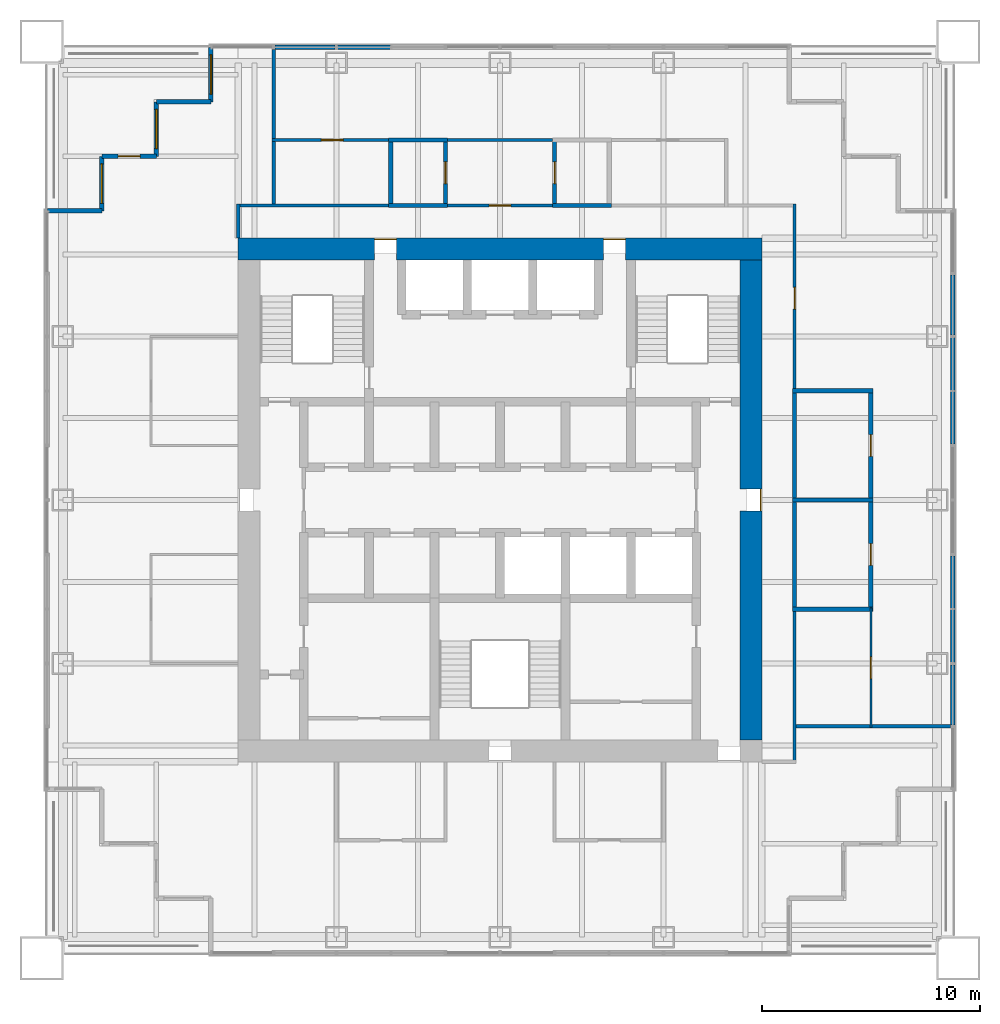
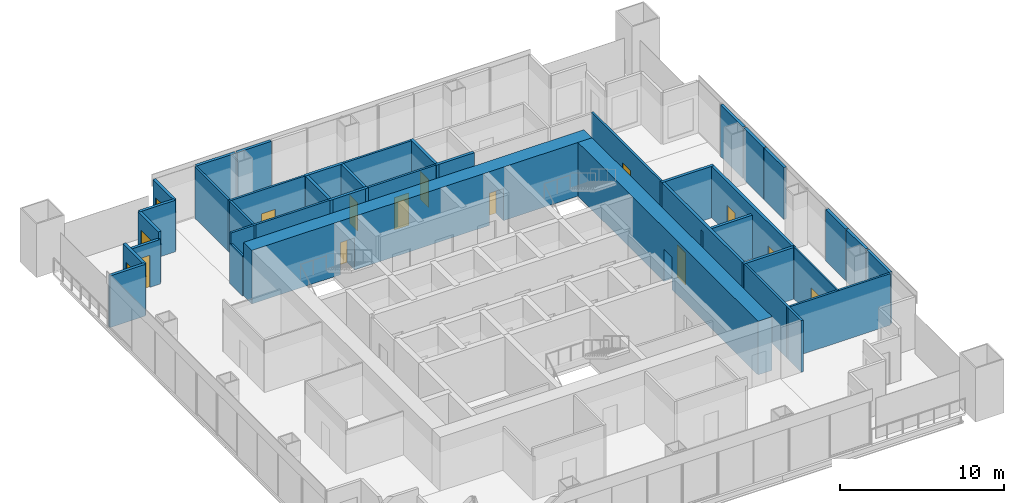
# One storey, part 11 of 14: 37 walls, 12 doors, 3 windows, 15 openings.
"""IFC4 building model written with IfcOpenShell, lengths in metres."""

from ifc_helpers import new_model, si_unit, direction, frame, frame_2d, origin, place, context, subcontext, project, spatial, rectangle, extrude, material, layer, layer_set, type_object, element, fill, save


model = new_model("IFC4")

# Units and contexts
model_context = context("Model", 3, precision=1e-05, world=origin(), true_north=direction((0.0, 1.0)))
body_context = subcontext(model_context, "Body", "Model", "MODEL_VIEW")
ifc_project = project(units=[si_unit("LENGTHUNIT", "METRE"), si_unit("AREAUNIT", "SQUARE_METRE"), si_unit("VOLUMEUNIT", "CUBIC_METRE"), si_unit("PLANEANGLEUNIT", "RADIAN"), si_unit("MASSUNIT", "GRAM", prefix="KILO")], contexts=[model_context])

# Site, building, storey
site_placement = place(None, origin())
site = spatial("IfcSite", under=ifc_project, at=site_placement, CompositionType="ELEMENT")
building_placement = place(site_placement, origin())
building = spatial("IfcBuilding", under=site, at=building_placement, Name="Tarangal Relay Tower", CompositionType="ELEMENT")
storey_placement = place(building_placement, frame((0.0, 0.0, 319.89990234375)))
storey = spatial("IfcBuildingStorey", under=building, at=storey_placement, Name="L71", CompositionType="ELEMENT", Elevation=319.89990234375)

# Walls
ifc_material_1 = material(Name="Two layers gypsum board each side on twin steel studs, mineral wool", Category="steel")
ifc_layer_1 = layer(ifc_material_1, 0.199951171875)
ifc_layer_set_1 = layer_set([ifc_layer_1], Name="Acoustic partition 200")
wall_type_1 = type_object("IfcWallType", Name="Acoustic partition 200", PredefinedType="PARTITIONING", material=ifc_layer_set_1)
wall_1_placement = place(storey_placement, frame((13.39990234375, -5.0, 0.0), z_axis=(0.0, 0.0, 1.0), x_axis=(1.0, 0.0, 0.0)))
element("IfcWall", 1, at=wall_1_placement, inside=storey, type_object=wall_type_1, Name="Partition PT2 L71", PredefinedType="PARTITIONING", context=body_context, shape_type="SweptSolid", body=[
    extrude(rectangle(XDim=3.7001953125, YDim=0.199951171875, at=frame_2d((1.85009765625, 0.0))), origin(), (0.0, 0.0, 1.0), 3.85009765625),
])
wall_2_placement = place(storey_placement, frame((13.39990234375, 0.0, 0.0), z_axis=(0.0, 0.0, 1.0), x_axis=(1.0, 0.0, 0.0)))
element("IfcWall", 2, at=wall_2_placement, inside=storey, type_object=wall_type_1, Name="Partition PT2 L71", PredefinedType="PARTITIONING", context=body_context, shape_type="SweptSolid", body=[
    extrude(rectangle(XDim=3.7001953125, YDim=0.199951171875, at=frame_2d((1.85009765625, 0.0))), origin(), (0.0, 0.0, 1.0), 3.2431640625),
])
wall_3_placement = place(storey_placement, frame((13.39990234375, 5.0, 0.0), z_axis=(0.0, 0.0, 1.0), x_axis=(1.0, 0.0, 0.0)))
element("IfcWall", 3, at=wall_3_placement, inside=storey, type_object=wall_type_1, Name="Partition PT2 L71", PredefinedType="PARTITIONING", context=body_context, shape_type="SweptSolid", body=[
    extrude(rectangle(XDim=3.7001953125, YDim=0.199951171875, at=frame_2d((1.85009765625, 0.0))), origin(), (0.0, 0.0, 1.0), 3.85009765625),
])
for number, where, z_axis, x_axis, name in (
    (4, (-5.10009765625, 13.5, 0.0), (0.0, 0.0, 1.0), (1.0, 0.0, 0.0), "Partition PT2 L71"),
    (5, (2.39990234375, 13.5, 0.0), (0.0, 0.0, 1.0), (1.0, 0.0, 0.0), "Partition PT2 L71"),
    (6, (-5.10009765625, 16.5, 0.0), (0.0, 0.0, 1.0), (1.0, 0.0, 0.0), "Partition PT2 L71"),
):
    element("IfcWall", number, at=place(storey_placement, frame(where, z_axis=z_axis, x_axis=x_axis)), inside=storey, type_object=wall_type_1, Name=name, PredefinedType="PARTITIONING", context=body_context, shape_type="SweptSolid", body=[
        extrude(rectangle(XDim=2.7001953125, YDim=0.199951171875, at=frame_2d((1.35009765625, 0.0))), origin(), (0.0, 0.0, 1.0), 3.85009765625),
    ])
wall_4_placement = place(storey_placement, frame((-5.0, 13.39990234375, 0.0), z_axis=(0.0, 0.0, 1.0), x_axis=(0.0, 1.0, 0.0)))
element("IfcWall", 7, at=wall_4_placement, inside=storey, type_object=wall_type_1, Name="Partition PT2 L71", PredefinedType="PARTITIONING", context=body_context, shape_type="SweptSolid", body=[
    extrude(rectangle(XDim=3.2001953125, YDim=0.199951171875, at=frame_2d((1.60009765625, 0.0))), origin(), (0.0, 0.0, 1.0), 3.85009765625),
])

# Wall, opening, door
wall_5_placement = place(storey_placement, frame((-2.5, 13.39990234375, 0.0), z_axis=(0.0, 0.0, 1.0), x_axis=(0.0, 1.0, 0.0)))
wall_5 = element("IfcWall", 8, at=wall_5_placement, inside=storey, type_object=wall_type_1, Name="Partition PT2 L71", PredefinedType="PARTITIONING", context=body_context, shape_type="SweptSolid", body=[
    extrude(rectangle(XDim=3.2001953125, YDim=0.199951171875, at=frame_2d((1.60009765625, 0.0))), origin(), (0.0, 0.0, 1.0), 3.85009765625),
])
opening_1_placement = place(wall_5_placement, frame((1.10009765625, 0.0, 0.0)))
opening_1 = element("IfcOpeningElement", 9, at=opening_1_placement, cuts=wall_5, Name="Opening D2", PredefinedType="OPENING", context=body_context, shape_type="SweptSolid", body=[
    extrude(rectangle(XDim=1.0, YDim=2.10009765625, at=frame_2d((0.5, 1.050048828125))), frame((0.0, 0.10986328125, 0.0), z_axis=(0.0, -1.0, 0.0), x_axis=(1.0, 0.0, 0.0)), (0.0, 0.0, 1.0), 0.219970703125),
])
ifc_material_2 = material(Name="Hardwood door", Category="wood")
door_type_1 = type_object("IfcDoorType", Name="Door 1000 x 2100", OperationType="SINGLE_SWING_LEFT", PredefinedType="DOOR", material=ifc_material_2)
door_1_placement = place(opening_1_placement, origin())
door_1 = element("IfcDoor", 10, at=door_1_placement, inside=storey, type_object=door_type_1, Name="Door D2 to phone room L71-03", OperationType="SINGLE_SWING_LEFT", OverallHeight=2.10009765625, OverallWidth=1.0, PredefinedType="DOOR", context=body_context, shape_type="SweptSolid", body=[
    extrude(rectangle(XDim=1.0, YDim=2.10009765625, at=frame_2d((0.5, 1.050048828125))), frame((0.0, 0.02490234375, 0.0), z_axis=(0.0, -1.0, 0.0), x_axis=(1.0, 0.0, 0.0)), (0.0, 0.0, 1.0), 0.050048828125),
])
fill(opening_1, door_1)

wall_6_placement = place(storey_placement, frame((2.5, 13.39990234375, 0.0), z_axis=(0.0, 0.0, 1.0), x_axis=(0.0, 1.0, 0.0)))
wall_6 = element("IfcWall", 11, at=wall_6_placement, inside=storey, type_object=wall_type_1, Name="Partition PT2 L71", PredefinedType="PARTITIONING", context=body_context, shape_type="SweptSolid", body=[
    extrude(rectangle(XDim=3.2001953125, YDim=0.199951171875, at=frame_2d((1.60009765625, 0.0))), origin(), (0.0, 0.0, 1.0), 3.85009765625),
])
opening_2_placement = place(wall_6_placement, frame((1.10009765625, 0.0, 0.0)))
opening_2 = element("IfcOpeningElement", 12, at=opening_2_placement, cuts=wall_6, Name="Opening D2", PredefinedType="OPENING", context=body_context, shape_type="SweptSolid", body=[
    extrude(rectangle(XDim=1.0, YDim=2.10009765625, at=frame_2d((0.5, 1.050048828125))), frame((0.0, 0.10986328125, 0.0), z_axis=(0.0, -1.0, 0.0), x_axis=(1.0, 0.0, 0.0)), (0.0, 0.0, 1.0), 0.219970703125),
])
door_2_placement = place(opening_2_placement, origin())
door_2 = element("IfcDoor", 13, at=door_2_placement, inside=storey, type_object=door_type_1, Name="Door D2 to phone room L71-05", OperationType="SINGLE_SWING_LEFT", OverallHeight=2.10009765625, OverallWidth=1.0, PredefinedType="DOOR", context=body_context, shape_type="SweptSolid", body=[
    extrude(rectangle(XDim=1.0, YDim=2.10009765625, at=frame_2d((0.5, 1.050048828125))), frame((0.0, 0.02490234375, 0.0), z_axis=(0.0, -1.0, 0.0), x_axis=(1.0, 0.0, 0.0)), (0.0, 0.0, 1.0), 0.050048828125),
])
fill(opening_2, door_2)

# Wall
wall_7_placement = place(storey_placement, frame((13.5, -5.10009765625, 0.0), z_axis=(0.0, 0.0, 1.0), x_axis=(0.0, 1.0, 0.0)))
element("IfcWall", 14, at=wall_7_placement, inside=storey, type_object=wall_type_1, Name="Partition PT2 L71", PredefinedType="PARTITIONING", context=body_context, shape_type="SweptSolid", body=[
    extrude(rectangle(XDim=10.2001953125, YDim=0.199951171875, at=frame_2d((5.10009765625, 0.0))), origin(), (0.0, 0.0, 1.0), 3.85009765625),
])

# Wall, openings, doors
wall_8_placement = place(storey_placement, frame((17.0, -5.10009765625, 0.0), z_axis=(0.0, 0.0, 1.0), x_axis=(0.0, 1.0, 0.0)))
wall_8 = element("IfcWall", 15, at=wall_8_placement, inside=storey, type_object=wall_type_1, Name="Partition PT2 L71", PredefinedType="PARTITIONING", context=body_context, shape_type="SweptSolid", body=[
    extrude(rectangle(XDim=10.2001953125, YDim=0.199951171875, at=frame_2d((5.10009765625, 0.0))), origin(), (0.0, 0.0, 1.0), 3.85009765625),
])
opening_3_placement = place(wall_8_placement, frame((7.10009765625, 0.0, 0.0)))
opening_3 = element("IfcOpeningElement", 16, at=opening_3_placement, cuts=wall_8, Name="Opening D2", PredefinedType="OPENING", context=body_context, shape_type="SweptSolid", body=[
    extrude(rectangle(XDim=1.0, YDim=2.10009765625, at=frame_2d((0.5, 1.050048828125))), frame((0.0, 0.10986328125, 0.0), z_axis=(0.0, -1.0, 0.0), x_axis=(1.0, 0.0, 0.0)), (0.0, 0.0, 1.0), 0.219970703125),
])
opening_4_placement = place(wall_8_placement, frame((2.10009765625, 0.0, 0.0)))
opening_4 = element("IfcOpeningElement", 17, at=opening_4_placement, cuts=wall_8, Name="Opening D2", PredefinedType="OPENING", context=body_context, shape_type="SweptSolid", body=[
    extrude(rectangle(XDim=1.0, YDim=2.10009765625, at=frame_2d((0.5, 1.050048828125))), frame((0.0, 0.10986328125, 0.0), z_axis=(0.0, -1.0, 0.0), x_axis=(1.0, 0.0, 0.0)), (0.0, 0.0, 1.0), 0.219970703125),
])
door_3_placement = place(opening_3_placement, origin())
door_3 = element("IfcDoor", 18, at=door_3_placement, inside=storey, type_object=door_type_1, Name="Door D2 to boardroom L71-07", OperationType="SINGLE_SWING_LEFT", OverallHeight=2.10009765625, OverallWidth=1.0, PredefinedType="DOOR", context=body_context, shape_type="SweptSolid", body=[
    extrude(rectangle(XDim=1.0, YDim=2.10009765625, at=frame_2d((0.5, 1.050048828125))), frame((0.0, 0.02490234375, 0.0), z_axis=(0.0, -1.0, 0.0), x_axis=(1.0, 0.0, 0.0)), (0.0, 0.0, 1.0), 0.050048828125),
])
fill(opening_3, door_3)
door_4_placement = place(opening_4_placement, origin())
door_4 = element("IfcDoor", 19, at=door_4_placement, inside=storey, type_object=door_type_1, Name="Door D2 to meeting room L71-08", OperationType="SINGLE_SWING_LEFT", OverallHeight=2.10009765625, OverallWidth=1.0, PredefinedType="DOOR", context=body_context, shape_type="SweptSolid", body=[
    extrude(rectangle(XDim=1.0, YDim=2.10009765625, at=frame_2d((0.5, 1.050048828125))), frame((0.0, 0.02490234375, 0.0), z_axis=(0.0, -1.0, 0.0), x_axis=(1.0, 0.0, 0.0)), (0.0, 0.0, 1.0), 0.050048828125),
])
fill(opening_4, door_4)

ifc_material_3 = material(Name="Concrete fc' 60 MPa", Category="concrete")
ifc_layer_2 = layer(ifc_material_3, 1.0)
ifc_layer_set_2 = layer_set([ifc_layer_2], Name="Core wall 1000")
wall_type_2 = type_object("IfcWallType", Name="Core wall 1000", PredefinedType="SHEAR", material=ifc_layer_set_2)
wall_9_placement = place(storey_placement, frame((-12.0, 11.5, 0.0), z_axis=(0.0, 0.0, 1.0), x_axis=(1.0, 0.0, 0.0)))
wall_9 = element("IfcWall", 20, at=wall_9_placement, inside=storey, type_object=wall_type_2, Name="Core wall N L71", PredefinedType="SHEAR", context=body_context, shape_type="SweptSolid", body=[
    extrude(rectangle(XDim=24.0, YDim=1.0, at=frame_2d((12.0, 0.0))), origin(), (0.0, 0.0, 1.0), 4.0),
])
opening_5_placement = place(wall_9_placement, frame((6.25, 0.0, 0.0)))
opening_5 = element("IfcOpeningElement", 21, at=opening_5_placement, cuts=wall_9, Name="Opening FD3", PredefinedType="OPENING", context=body_context, shape_type="SweptSolid", body=[
    extrude(rectangle(XDim=1.0, YDim=2.39990234375, at=frame_2d((0.5, 1.199951171875))), frame((0.0, 0.510009765625, 0.0), z_axis=(0.0, -1.0, 0.0), x_axis=(1.0, 0.0, 0.0)), (0.0, 0.0, 1.0), 1.02001953125),
])
opening_6_placement = place(wall_9_placement, frame((16.75, 0.0, 0.0)))
opening_6 = element("IfcOpeningElement", 22, at=opening_6_placement, cuts=wall_9, Name="Opening FD3", PredefinedType="OPENING", context=body_context, shape_type="SweptSolid", body=[
    extrude(rectangle(XDim=1.0, YDim=2.39990234375, at=frame_2d((0.5, 1.199951171875))), frame((0.0, 0.510009765625, 0.0), z_axis=(0.0, -1.0, 0.0), x_axis=(1.0, 0.0, 0.0)), (0.0, 0.0, 1.0), 1.02001953125),
])
ifc_material_4 = material(Name="Steel door with hardwood frame", Category="steel")
door_type_2 = type_object("IfcDoorType", Name="Fire door 1000 x 2400 core entry", OperationType="SINGLE_SWING_RIGHT", PredefinedType="DOOR", material=ifc_material_4)
door_5_placement = place(opening_5_placement, origin())
door_5 = element("IfcDoor", 23, at=door_5_placement, inside=storey, type_object=door_type_2, Name="Core entry door north west L71", OperationType="SINGLE_SWING_RIGHT", OverallHeight=2.39990234375, OverallWidth=1.0, PredefinedType="DOOR", context=body_context, shape_type="SweptSolid", body=[
    extrude(rectangle(XDim=1.0, YDim=2.39990234375, at=frame_2d((0.5, 1.199951171875))), frame((0.0, 0.48486328125, 0.0), z_axis=(0.0, -1.0, 0.0), x_axis=(1.0, 0.0, 0.0)), (0.0, 0.0, 1.0), 0.050048828125),
])
fill(opening_5, door_5)
door_6_placement = place(opening_6_placement, origin())
door_6 = element("IfcDoor", 24, at=door_6_placement, inside=storey, type_object=door_type_2, Name="Core entry door north east L71", OperationType="SINGLE_SWING_RIGHT", OverallHeight=2.39990234375, OverallWidth=1.0, PredefinedType="DOOR", context=body_context, shape_type="SweptSolid", body=[
    extrude(rectangle(XDim=1.0, YDim=2.39990234375, at=frame_2d((0.5, 1.199951171875))), frame((0.0, 0.48486328125, 0.0), z_axis=(0.0, -1.0, 0.0), x_axis=(1.0, 0.0, 0.0)), (0.0, 0.0, 1.0), 0.050048828125),
])
fill(opening_6, door_6)

# Wall, opening, door
wall_10_placement = place(storey_placement, frame((11.5, 11.0, 0.0), z_axis=(0.0, 0.0, 1.0), x_axis=(0.0, -1.0, 0.0)))
wall_10 = element("IfcWall", 25, at=wall_10_placement, inside=storey, type_object=wall_type_2, Name="Core wall E L71", PredefinedType="SHEAR", context=body_context, shape_type="SweptSolid", body=[
    extrude(rectangle(XDim=22.0, YDim=1.0, at=frame_2d((11.0, 0.0))), origin(), (0.0, 0.0, 1.0), 4.0),
])
opening_7_placement = place(wall_10_placement, frame((10.5, 0.0, 0.0)))
opening_7 = element("IfcOpeningElement", 26, at=opening_7_placement, cuts=wall_10, Name="Opening FD3", PredefinedType="OPENING", context=body_context, shape_type="SweptSolid", body=[
    extrude(rectangle(XDim=1.0, YDim=2.39990234375, at=frame_2d((0.5, 1.199951171875))), frame((0.0, 0.510009765625, 0.0), z_axis=(0.0, -1.0, 0.0), x_axis=(1.0, 0.0, 0.0)), (0.0, 0.0, 1.0), 1.02001953125),
])
door_7_placement = place(opening_7_placement, origin())
door_7 = element("IfcDoor", 27, at=door_7_placement, inside=storey, type_object=door_type_2, Name="Core entry door east L71", OperationType="SINGLE_SWING_RIGHT", OverallHeight=2.39990234375, OverallWidth=1.0, PredefinedType="DOOR", context=body_context, shape_type="SweptSolid", body=[
    extrude(rectangle(XDim=1.0, YDim=2.39990234375, at=frame_2d((0.5, 1.199951171875))), frame((0.0, 0.48486328125, 0.0), z_axis=(0.0, -1.0, 0.0), x_axis=(1.0, 0.0, 0.0)), (0.0, 0.0, 1.0), 0.050048828125),
])
fill(opening_7, door_7)

# Wall
ifc_material_5 = material(Name="Black metal clad insulated wall", Category="steel")
ifc_layer_3 = layer(ifc_material_5, 0.199951171875)
ifc_layer_set_3 = layer_set([ifc_layer_3], Name="Corner wall metal clad 200")
wall_type_3 = type_object("IfcWallType", Name="Corner wall metal clad 200", PredefinedType="SOLIDWALL", material=ifc_layer_set_3)
wall_11_placement = place(storey_placement, frame((-20.75, 13.25, 0.0), z_axis=(0.0, 0.0, 1.0), x_axis=(1.0, 0.0, 0.0)))
element("IfcWall", 28, at=wall_11_placement, inside=storey, type_object=wall_type_3, Name="Facade wall W facade L71", PredefinedType="SOLIDWALL", context=body_context, shape_type="SweptSolid", body=[
    extrude(rectangle(XDim=2.5, YDim=0.199951171875, at=frame_2d((1.25, 0.0))), origin(), (0.0, 0.0, 1.0), 3.85009765625),
])

# Wall, opening, window
wall_12_placement = place(storey_placement, frame((-18.25, 13.25, 0.0), z_axis=(0.0, 0.0, 1.0), x_axis=(0.0, 1.0, 0.0)))
wall_12 = element("IfcWall", 29, at=wall_12_placement, inside=storey, type_object=wall_type_3, Name="Facade wall W facade L71", PredefinedType="SOLIDWALL", context=body_context, shape_type="SweptSolid", body=[
    extrude(rectangle(XDim=2.5, YDim=0.199951171875, at=frame_2d((1.25, 0.0))), origin(), (0.0, 0.0, 1.0), 3.85009765625),
])
opening_8_placement = place(wall_12_placement, frame((0.35009765625, 0.0, 0.300048828125)))
opening_8 = element("IfcOpeningElement", 30, at=opening_8_placement, cuts=wall_12, Name="Opening WN2", PredefinedType="OPENING", context=body_context, shape_type="SweptSolid", body=[
    extrude(rectangle(XDim=1.800048828125, YDim=2.39990234375, at=frame_2d((0.89990234375, 1.199951171875))), frame((0.0, 0.10986328125, 0.0), z_axis=(0.0, -1.0, 0.0), x_axis=(1.0, 0.0, 0.0)), (0.0, 0.0, 1.0), 0.219970703125),
])
ifc_material_6 = material(Name="Dark tinted double glazing in black aluminium frame", Category="aluminium")
window_type = type_object("IfcWindowType", Name="Corner window 1800 x 2400", PartitioningType="SINGLE_PANEL", PredefinedType="WINDOW", material=ifc_material_6)
window_1_placement = place(opening_8_placement, origin())
window_1 = element("IfcWindow", 31, at=window_1_placement, inside=storey, type_object=window_type, Name="Corner window WN2 W facade L71", OverallHeight=2.39990234375, OverallWidth=1.800048828125, PartitioningType="SINGLE_PANEL", PredefinedType="WINDOW", context=body_context, shape_type="SweptSolid", body=[
    extrude(rectangle(XDim=1.800048828125, YDim=2.39990234375, at=frame_2d((0.89990234375, 1.199951171875))), frame((0.0, 0.030029296875, 0.0), z_axis=(0.0, -1.0, 0.0), x_axis=(1.0, 0.0, 0.0)), (0.0, 0.0, 1.0), 0.06005859375),
])
fill(opening_8, window_1)

# Wall, opening, door
wall_13_placement = place(storey_placement, frame((-18.25, 15.75, 0.0), z_axis=(0.0, 0.0, 1.0), x_axis=(1.0, 0.0, 0.0)))
wall_13 = element("IfcWall", 32, at=wall_13_placement, inside=storey, type_object=wall_type_3, Name="Facade wall W facade L71", PredefinedType="SOLIDWALL", context=body_context, shape_type="SweptSolid", body=[
    extrude(rectangle(XDim=2.5, YDim=0.199951171875, at=frame_2d((1.25, 0.0))), origin(), (0.0, 0.0, 1.0), 3.316650390625),
])
opening_9_placement = place(wall_13_placement, frame((0.75, 0.0, 0.0)))
opening_9 = element("IfcOpeningElement", 33, at=opening_9_placement, cuts=wall_13, Name="Opening TD1", PredefinedType="OPENING", context=body_context, shape_type="SweptSolid", body=[
    extrude(rectangle(XDim=1.0, YDim=2.39990234375, at=frame_2d((0.5, 1.199951171875))), frame((0.0, 0.10986328125, 0.0), z_axis=(0.0, -1.0, 0.0), x_axis=(1.0, 0.0, 0.0)), (0.0, 0.0, 1.0), 0.219970703125),
])
ifc_material_7 = material(Name="Aluminium glazed door", Category="aluminium")
door_type_3 = type_object("IfcDoorType", Name="Terrace door 1000 x 2400", OperationType="SINGLE_SWING_RIGHT", PredefinedType="DOOR", material=ifc_material_7)
door_8_placement = place(opening_9_placement, origin())
door_8 = element("IfcDoor", 34, at=door_8_placement, inside=storey, type_object=door_type_3, Name="Terrace door TD1 NW L71", OperationType="SINGLE_SWING_RIGHT", OverallHeight=2.39990234375, OverallWidth=1.0, PredefinedType="DOOR", context=body_context, shape_type="SweptSolid", body=[
    extrude(rectangle(XDim=1.0, YDim=2.39990234375, at=frame_2d((0.5, 1.199951171875))), frame((0.0, 0.02490234375, 0.0), z_axis=(0.0, -1.0, 0.0), x_axis=(1.0, 0.0, 0.0)), (0.0, 0.0, 1.0), 0.050048828125),
])
fill(opening_9, door_8)

# Wall, opening, window
wall_14_placement = place(storey_placement, frame((-15.75, 15.75, 0.0), z_axis=(0.0, 0.0, 1.0), x_axis=(0.0, 1.0, 0.0)))
wall_14 = element("IfcWall", 35, at=wall_14_placement, inside=storey, type_object=wall_type_3, Name="Facade wall W facade L71", PredefinedType="SOLIDWALL", context=body_context, shape_type="SweptSolid", body=[
    extrude(rectangle(XDim=2.5, YDim=0.199951171875, at=frame_2d((1.25, 0.0))), origin(), (0.0, 0.0, 1.0), 3.85009765625),
])
opening_10_placement = place(wall_14_placement, frame((0.35009765625, 0.0, 0.300048828125)))
opening_10 = element("IfcOpeningElement", 36, at=opening_10_placement, cuts=wall_14, Name="Opening WN2", PredefinedType="OPENING", context=body_context, shape_type="SweptSolid", body=[
    extrude(rectangle(XDim=1.800048828125, YDim=2.39990234375, at=frame_2d((0.89990234375, 1.199951171875))), frame((0.0, 0.10986328125, 0.0), z_axis=(0.0, -1.0, 0.0), x_axis=(1.0, 0.0, 0.0)), (0.0, 0.0, 1.0), 0.219970703125),
])
window_2_placement = place(opening_10_placement, origin())
window_2 = element("IfcWindow", 37, at=window_2_placement, inside=storey, type_object=window_type, Name="Corner window WN2 W facade L71", OverallHeight=2.39990234375, OverallWidth=1.800048828125, PartitioningType="SINGLE_PANEL", PredefinedType="WINDOW", context=body_context, shape_type="SweptSolid", body=[
    extrude(rectangle(XDim=1.800048828125, YDim=2.39990234375, at=frame_2d((0.89990234375, 1.199951171875))), frame((0.0, 0.030029296875, 0.0), z_axis=(0.0, -1.0, 0.0), x_axis=(1.0, 0.0, 0.0)), (0.0, 0.0, 1.0), 0.06005859375),
])
fill(opening_10, window_2)

# Wall
wall_15_placement = place(storey_placement, frame((-15.75, 18.25, 0.0), z_axis=(0.0, 0.0, 1.0), x_axis=(1.0, 0.0, 0.0)))
element("IfcWall", 38, at=wall_15_placement, inside=storey, type_object=wall_type_3, Name="Facade wall W facade L71", PredefinedType="SOLIDWALL", context=body_context, shape_type="SweptSolid", body=[
    extrude(rectangle(XDim=2.5, YDim=0.199951171875, at=frame_2d((1.25, 0.0))), origin(), (0.0, 0.0, 1.0), 3.85009765625),
])

# Wall, opening, window
wall_16_placement = place(storey_placement, frame((-13.25, 18.25, 0.0), z_axis=(0.0, 0.0, 1.0), x_axis=(0.0, 1.0, 0.0)))
wall_16 = element("IfcWall", 39, at=wall_16_placement, inside=storey, type_object=wall_type_3, Name="Facade wall W facade L71", PredefinedType="SOLIDWALL", context=body_context, shape_type="SweptSolid", body=[
    extrude(rectangle(XDim=2.5, YDim=0.199951171875, at=frame_2d((1.25, 0.0))), origin(), (0.0, 0.0, 1.0), 3.85009765625),
])
opening_11_placement = place(wall_16_placement, frame((0.35009765625, 0.0, 0.300048828125)))
opening_11 = element("IfcOpeningElement", 40, at=opening_11_placement, cuts=wall_16, Name="Opening WN2", PredefinedType="OPENING", context=body_context, shape_type="SweptSolid", body=[
    extrude(rectangle(XDim=1.800048828125, YDim=2.39990234375, at=frame_2d((0.89990234375, 1.199951171875))), frame((0.0, 0.10986328125, 0.0), z_axis=(0.0, -1.0, 0.0), x_axis=(1.0, 0.0, 0.0)), (0.0, 0.0, 1.0), 0.219970703125),
])
window_3_placement = place(opening_11_placement, origin())
window_3 = element("IfcWindow", 41, at=window_3_placement, inside=storey, type_object=window_type, Name="Corner window WN2 W facade L71", OverallHeight=2.39990234375, OverallWidth=1.800048828125, PartitioningType="SINGLE_PANEL", PredefinedType="WINDOW", context=body_context, shape_type="SweptSolid", body=[
    extrude(rectangle(XDim=1.800048828125, YDim=2.39990234375, at=frame_2d((0.89990234375, 1.199951171875))), frame((0.0, 0.030029296875, 0.0), z_axis=(0.0, -1.0, 0.0), x_axis=(1.0, 0.0, 0.0)), (0.0, 0.0, 1.0), 0.06005859375),
])
fill(opening_11, window_3)

# Walls
ifc_layer_4 = layer(ifc_material_5, 0.199951171875)
ifc_layer_set_4 = layer_set([ifc_layer_4], Name="Facade infill wall metal clad 200")
wall_type_4 = type_object("IfcWallType", Name="Facade infill wall metal clad 200", PredefinedType="SOLIDWALL", material=ifc_layer_set_4)
wall_17_placement = place(storey_placement, frame((-10.31494140625, 20.75, 0.0), z_axis=(0.0, 0.0, 1.0), x_axis=(1.0, 0.0, 0.0)))
element("IfcWall", 42, at=wall_17_placement, inside=storey, type_object=wall_type_4, Name="Facade infill wall N facade L71 1.1", PredefinedType="SOLIDWALL", context=body_context, shape_type="SweptSolid", body=[
    extrude(rectangle(XDim=2.7548828125, YDim=0.199951171875, at=frame_2d((1.37744140625, 0.0))), origin(), (0.0, 0.0, 1.0), 3.85009765625),
])
wall_18_placement = place(storey_placement, frame((-7.43994140625, 20.75, 0.0), z_axis=(0.0, 0.0, 1.0), x_axis=(1.0, 0.0, 0.0)))
element("IfcWall", 43, at=wall_18_placement, inside=storey, type_object=wall_type_4, Name="Facade infill wall N facade L71 1.1", PredefinedType="SOLIDWALL", context=body_context, shape_type="SweptSolid", body=[
    extrude(rectangle(XDim=2.409912109375, YDim=0.199951171875, at=frame_2d((1.205078125, 0.0))), origin(), (0.0, 0.0, 1.0), 3.85009765625),
])
wall_19_placement = place(storey_placement, frame((20.75, 10.31494140625, 0.0), z_axis=(0.0, 0.0, 1.0), x_axis=(0.0, -1.0, 0.0)))
element("IfcWall", 44, at=wall_19_placement, inside=storey, type_object=wall_type_4, Name="Facade infill wall E facade L71 1.1", PredefinedType="SOLIDWALL", context=body_context, shape_type="SweptSolid", body=[
    extrude(rectangle(XDim=2.7548828125, YDim=0.199951171875, at=frame_2d((1.37744140625, 0.0))), origin(), (0.0, 0.0, 1.0), 3.85009765625),
])
for number, where, z_axis, x_axis, name in (
    (45, (20.75, 7.43994140625, 0.0), (0.0, 0.0, 1.0), (0.0, -1.0, 0.0), "Facade infill wall E facade L71 1.1"),
    (46, (20.75, 4.969970703125, 0.0), (0.0, 0.0, 1.0), (0.0, -1.0, 0.0), "Facade infill wall E facade L71 2.1"),
    (47, (20.75, -2.56005859375, 0.0), (0.0, 0.0, 1.0), (0.0, -1.0, 0.0), "Facade infill wall E facade L71 1.1"),
    (48, (20.75, -5.030029296875, 0.0), (0.0, 0.0, 1.0), (0.0, -1.0, 0.0), "Facade infill wall E facade L71 2.1"),
):
    element("IfcWall", number, at=place(storey_placement, frame(where, z_axis=z_axis, x_axis=x_axis)), inside=storey, type_object=wall_type_4, Name=name, PredefinedType="SOLIDWALL", context=body_context, shape_type="SweptSolid", body=[
        extrude(rectangle(XDim=2.409912109375, YDim=0.199951171875, at=frame_2d((1.205078125, 0.0))), origin(), (0.0, 0.0, 1.0), 3.85009765625),
    ])
wall_20_placement = place(storey_placement, frame((20.75, -7.56005859375, 0.0), z_axis=(0.0, 0.0, 1.0), x_axis=(0.0, -1.0, 0.0)))
element("IfcWall", 49, at=wall_20_placement, inside=storey, type_object=wall_type_4, Name="Facade infill wall E facade L71 1.1", PredefinedType="SOLIDWALL", context=body_context, shape_type="SweptSolid", body=[
    extrude(rectangle(XDim=2.7548828125, YDim=0.199951171875, at=frame_2d((1.37744140625, 0.0))), origin(), (0.0, 0.0, 1.0), 3.85009765625),
])

# Wall, opening, door
ifc_material_8 = material(Name="Double glazed aluminium framed partition", Category="aluminium")
ifc_layer_5 = layer(ifc_material_8, 0.10009765625)
ifc_layer_set_5 = layer_set([ifc_layer_5], Name="Glazed partition 100")
wall_type_5 = type_object("IfcWallType", Name="Glazed partition 100", PredefinedType="PARTITIONING", material=ifc_layer_set_5)
wall_21_placement = place(storey_placement, frame((17.0, -10.425048828125, 0.0), z_axis=(0.0, 0.0, 1.0), x_axis=(0.0, 1.0, 0.0)))
wall_21 = element("IfcWall", 50, at=wall_21_placement, inside=storey, type_object=wall_type_5, Name="Partition PT3 L71", PredefinedType="PARTITIONING", context=body_context, shape_type="SweptSolid", body=[
    extrude(rectangle(XDim=5.47509765625, YDim=0.10009765625, at=frame_2d((2.737548828125, 0.0))), origin(), (0.0, 0.0, 1.0), 3.85009765625),
])
opening_12_placement = place(wall_21_placement, frame((2.237548828125, 0.0, 0.0)))
opening_12 = element("IfcOpeningElement", 51, at=opening_12_placement, cuts=wall_21, Name="Opening D3", PredefinedType="OPENING", context=body_context, shape_type="SweptSolid", body=[
    extrude(rectangle(XDim=1.0, YDim=2.10009765625, at=frame_2d((0.5, 1.050048828125))), frame((0.0, 0.06005859375, 0.0), z_axis=(0.0, -1.0, 0.0), x_axis=(1.0, 0.0, 0.0)), (0.0, 0.0, 1.0), 0.1201171875),
])
ifc_material_9 = material(Name="Frameless glass door", Category="glass")
door_type_4 = type_object("IfcDoorType", Name="Glazed door 1000 x 2100", OperationType="SINGLE_SWING_LEFT", PredefinedType="DOOR", material=ifc_material_9)
door_9_placement = place(opening_12_placement, origin())
door_9 = element("IfcDoor", 52, at=door_9_placement, inside=storey, type_object=door_type_4, Name="Door D3 to meeting room L71-09", OperationType="SINGLE_SWING_LEFT", OverallHeight=2.10009765625, OverallWidth=1.0, PredefinedType="DOOR", context=body_context, shape_type="SweptSolid", body=[
    extrude(rectangle(XDim=1.0, YDim=2.10009765625, at=frame_2d((0.5, 1.050048828125))), frame((0.0, 0.02490234375, 0.0), z_axis=(0.0, -1.0, 0.0), x_axis=(1.0, 0.0, 0.0)), (0.0, 0.0, 1.0), 0.050048828125),
])
fill(opening_12, door_9)

# Walls
ifc_material_10 = material(Name="Gypsum board on steel studs", Category="steel")
ifc_layer_6 = layer(ifc_material_10, 0.14990234375)
ifc_layer_set_6 = layer_set([ifc_layer_6], Name="Partition 150")
wall_type_6 = type_object("IfcWallType", Name="Partition 150", PredefinedType="PARTITIONING", material=ifc_layer_set_6)
wall_22_placement = place(storey_placement, frame((13.425048828125, -10.375, 0.0), z_axis=(0.0, 0.0, 1.0), x_axis=(1.0, 0.0, 0.0)))
element("IfcWall", 53, at=wall_22_placement, inside=storey, type_object=wall_type_6, Name="Partition PT1 L71", PredefinedType="PARTITIONING", context=body_context, shape_type="SweptSolid", body=[
    extrude(rectangle(XDim=7.224853515625, YDim=0.14990234375, at=frame_2d((3.6123046875, 0.0))), origin(), (0.0, 0.0, 1.0), 3.85009765625),
])
wall_23_placement = place(storey_placement, frame((-12.074951171875, 13.5, 0.0), z_axis=(0.0, 0.0, 1.0), x_axis=(1.0, 0.0, 0.0)))
element("IfcWall", 54, at=wall_23_placement, inside=storey, type_object=wall_type_6, Name="Partition PT1 L71", PredefinedType="PARTITIONING", context=body_context, shape_type="SweptSolid", body=[
    extrude(rectangle(XDim=7.14990234375, YDim=0.14990234375, at=frame_2d((3.574951171875, 0.0))), origin(), (0.0, 0.0, 1.0), 3.85009765625),
])

# Wall, opening, door
wall_24_placement = place(storey_placement, frame((-2.574951171875, 13.5, 0.0), z_axis=(0.0, 0.0, 1.0), x_axis=(1.0, 0.0, 0.0)))
wall_24 = element("IfcWall", 55, at=wall_24_placement, inside=storey, type_object=wall_type_6, Name="Partition PT1 L71", PredefinedType="PARTITIONING", context=body_context, shape_type="SweptSolid", body=[
    extrude(rectangle(XDim=5.14990234375, YDim=0.14990234375, at=frame_2d((2.574951171875, 0.0))), origin(), (0.0, 0.0, 1.0), 3.85009765625),
])
opening_13_placement = place(wall_24_placement, frame((2.074951171875, 0.0, 0.0)))
opening_13 = element("IfcOpeningElement", 56, at=opening_13_placement, cuts=wall_24, Name="Opening SD1", PredefinedType="OPENING", context=body_context, shape_type="SweptSolid", body=[
    extrude(rectangle(XDim=1.0, YDim=2.39990234375, at=frame_2d((0.5, 1.199951171875))), frame((0.0, 0.0849609375, 0.0), z_axis=(0.0, -1.0, 0.0), x_axis=(1.0, 0.0, 0.0)), (0.0, 0.0, 1.0), 0.169921875),
])
door_type_5 = type_object("IfcDoorType", Name="Suite entrance door 1000 x 2400", OperationType="SINGLE_SWING_RIGHT", PredefinedType="DOOR", material=ifc_material_4)
door_10_placement = place(opening_13_placement, origin())
door_10 = element("IfcDoor", 57, at=door_10_placement, inside=storey, type_object=door_type_5, Name="Door SD1 to reception L71-04", OperationType="SINGLE_SWING_RIGHT", OverallHeight=2.39990234375, OverallWidth=1.0, PredefinedType="DOOR", context=body_context, shape_type="SweptSolid", body=[
    extrude(rectangle(XDim=1.0, YDim=2.39990234375, at=frame_2d((0.5, 1.199951171875))), frame((0.0, 0.02490234375, 0.0), z_axis=(0.0, -1.0, 0.0), x_axis=(1.0, 0.0, 0.0)), (0.0, 0.0, 1.0), 0.050048828125),
])
fill(opening_13, door_10)

wall_25_placement = place(storey_placement, frame((-10.449951171875, 16.5, 0.0), z_axis=(0.0, 0.0, 1.0), x_axis=(1.0, 0.0, 0.0)))
wall_25 = element("IfcWall", 58, at=wall_25_placement, inside=storey, type_object=wall_type_6, Name="Partition PT1 L71", PredefinedType="PARTITIONING", context=body_context, shape_type="SweptSolid", body=[
    extrude(rectangle(XDim=5.52490234375, YDim=0.14990234375, at=frame_2d((2.762451171875, 0.0))), origin(), (0.0, 0.0, 1.0), 3.85009765625),
])
opening_14_placement = place(wall_25_placement, frame((2.262451171875, 0.0, 0.0)))
opening_14 = element("IfcOpeningElement", 59, at=opening_14_placement, cuts=wall_25, Name="Opening D2", PredefinedType="OPENING", context=body_context, shape_type="SweptSolid", body=[
    extrude(rectangle(XDim=1.0, YDim=2.10009765625, at=frame_2d((0.5, 1.050048828125))), frame((0.0, 0.0849609375, 0.0), z_axis=(0.0, -1.0, 0.0), x_axis=(1.0, 0.0, 0.0)), (0.0, 0.0, 1.0), 0.169921875),
])
door_11_placement = place(opening_14_placement, origin())
door_11 = element("IfcDoor", 60, at=door_11_placement, inside=storey, type_object=door_type_1, Name="Door D2 to executive office L71-02", OperationType="SINGLE_SWING_LEFT", OverallHeight=2.10009765625, OverallWidth=1.0, PredefinedType="DOOR", context=body_context, shape_type="SweptSolid", body=[
    extrude(rectangle(XDim=1.0, YDim=2.10009765625, at=frame_2d((0.5, 1.050048828125))), frame((0.0, 0.02490234375, 0.0), z_axis=(0.0, -1.0, 0.0), x_axis=(1.0, 0.0, 0.0)), (0.0, 0.0, 1.0), 0.050048828125),
])
fill(opening_14, door_11)

# Walls
wall_26_placement = place(storey_placement, frame((-2.574951171875, 16.5, 0.0), z_axis=(0.0, 0.0, 1.0), x_axis=(1.0, 0.0, 0.0)))
element("IfcWall", 61, at=wall_26_placement, inside=storey, type_object=wall_type_6, Name="Partition PT1 L71", PredefinedType="PARTITIONING", context=body_context, shape_type="SweptSolid", body=[
    extrude(rectangle(XDim=5.14990234375, YDim=0.14990234375, at=frame_2d((2.574951171875, 0.0))), origin(), (0.0, 0.0, 1.0), 3.85009765625),
])
wall_27_placement = place(storey_placement, frame((-12.0, 12.0, 0.0), z_axis=(0.0, 0.0, 1.0), x_axis=(0.0, 1.0, 0.0)))
element("IfcWall", 62, at=wall_27_placement, inside=storey, type_object=wall_type_6, Name="Partition PT1 L71", PredefinedType="PARTITIONING", context=body_context, shape_type="SweptSolid", body=[
    extrude(rectangle(XDim=1.574951171875, YDim=0.14990234375, at=frame_2d((0.78759765625, 0.0))), origin(), (0.0, 0.0, 1.0), 3.009521484375),
])
wall_28_placement = place(storey_placement, frame((-10.375, 13.425048828125, 0.0), z_axis=(0.0, 0.0, 1.0), x_axis=(0.0, 1.0, 0.0)))
element("IfcWall", 63, at=wall_28_placement, inside=storey, type_object=wall_type_6, Name="Partition PT1 L71", PredefinedType="PARTITIONING", context=body_context, shape_type="SweptSolid", body=[
    extrude(rectangle(XDim=7.224853515625, YDim=0.14990234375, at=frame_2d((3.6123046875, 0.0))), origin(), (0.0, 0.0, 1.0), 3.85009765625),
])
wall_29_placement = place(storey_placement, frame((13.5, -12.074951171875, 0.0), z_axis=(0.0, 0.0, 1.0), x_axis=(0.0, 1.0, 0.0)))
element("IfcWall", 64, at=wall_29_placement, inside=storey, type_object=wall_type_6, Name="Partition PT1 L71", PredefinedType="PARTITIONING", context=body_context, shape_type="SweptSolid", body=[
    extrude(rectangle(XDim=7.14990234375, YDim=0.14990234375, at=frame_2d((3.574951171875, 0.0))), origin(), (0.0, 0.0, 1.0), 3.85009765625),
])

# Wall, opening, door
wall_30_placement = place(storey_placement, frame((13.5, 4.925048828125, 0.0), z_axis=(0.0, 0.0, 1.0), x_axis=(0.0, 1.0, 0.0)))
wall_30 = element("IfcWall", 65, at=wall_30_placement, inside=storey, type_object=wall_type_6, Name="Partition PT1 L71", PredefinedType="PARTITIONING", context=body_context, shape_type="SweptSolid", body=[
    extrude(rectangle(XDim=8.64990234375, YDim=0.14990234375, at=frame_2d((4.324951171875, 0.0))), origin(), (0.0, 0.0, 1.0), 3.85009765625),
])
opening_15_placement = place(wall_30_placement, frame((3.824951171875, 0.0, 0.0)))
opening_15 = element("IfcOpeningElement", 66, at=opening_15_placement, cuts=wall_30, Name="Opening SD1", PredefinedType="OPENING", context=body_context, shape_type="SweptSolid", body=[
    extrude(rectangle(XDim=1.0, YDim=2.39990234375, at=frame_2d((0.5, 1.199951171875))), frame((0.0, 0.0849609375, 0.0), z_axis=(0.0, -1.0, 0.0), x_axis=(1.0, 0.0, 0.0)), (0.0, 0.0, 1.0), 0.169921875),
])
door_12_placement = place(opening_15_placement, origin())
door_12 = element("IfcDoor", 67, at=door_12_placement, inside=storey, type_object=door_type_5, Name="Door SD1 to open plan office L71-14", OperationType="SINGLE_SWING_RIGHT", OverallHeight=2.39990234375, OverallWidth=1.0, PredefinedType="DOOR", context=body_context, shape_type="SweptSolid", body=[
    extrude(rectangle(XDim=1.0, YDim=2.39990234375, at=frame_2d((0.5, 1.199951171875))), frame((0.0, 0.02490234375, 0.0), z_axis=(0.0, -1.0, 0.0), x_axis=(1.0, 0.0, 0.0)), (0.0, 0.0, 1.0), 0.050048828125),
])
fill(opening_15, door_12)

save(model, "model.ifc")
